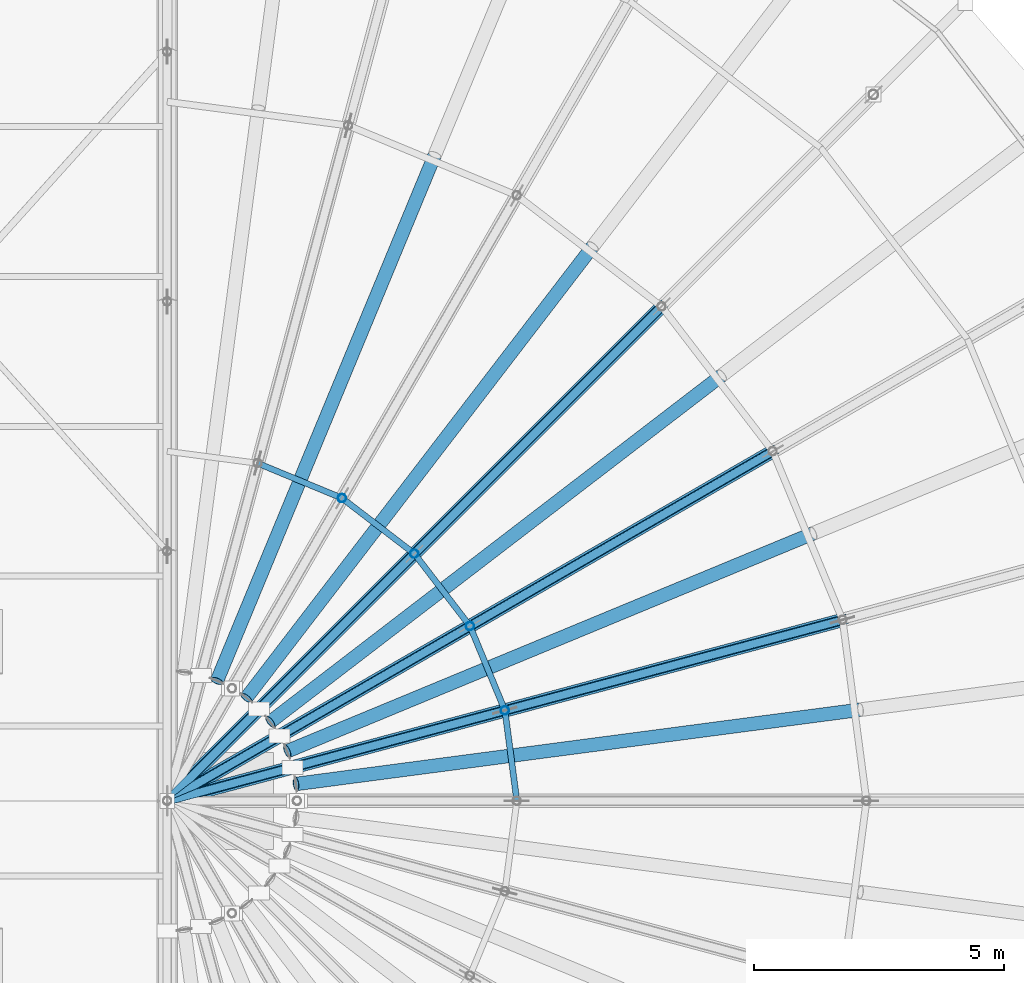
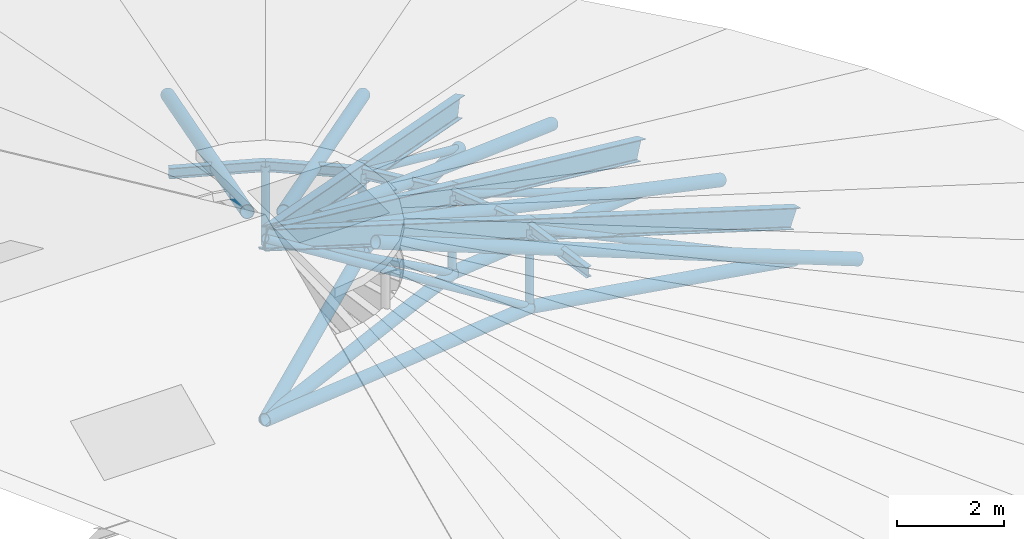
# One storey, part 40 of 107: 32 members.
"""IFC4 building model written with IfcOpenShell, lengths in metres."""

from ifc_helpers import new_model, si_unit, derived_unit, direction, frame, origin, origin_2d, place, context, subcontext, project, spatial, hollow_circle, i_section, extrude, material, material_profile, profile_set, type_object, element, save


model = new_model("IFC4")

# Units and contexts
model_context = context("Model", 3, precision=1e-05, world=origin(), true_north=direction((0.0, 1.0)))
body_context = subcontext(model_context, "Body", "Model", "MODEL_VIEW")
ifc_project = project(units=[si_unit("LENGTHUNIT", "METRE"), si_unit("AREAUNIT", "SQUARE_METRE"), si_unit("VOLUMEUNIT", "CUBIC_METRE"), si_unit("PLANEANGLEUNIT", "RADIAN"), si_unit("MASSUNIT", "GRAM", prefix="KILO"), si_unit("THERMODYNAMICTEMPERATUREUNIT", "KELVIN"), si_unit("TIMEUNIT", "SECOND"), derived_unit("THERMALTRANSMITTANCEUNIT", [(si_unit("MASSUNIT", "GRAM", prefix="KILO"), 1), (si_unit("THERMODYNAMICTEMPERATUREUNIT", "KELVIN"), -1), (si_unit("TIMEUNIT", "SECOND"), -3)])], contexts=[model_context])

# Site, building, storey
site_placement = place(None, origin())
site = spatial("IfcSite", under=ifc_project, at=site_placement, CompositionType="ELEMENT")
building_placement = place(site_placement, origin())
building = spatial("IfcBuilding", under=site, at=building_placement, Name="Cambertide Market Hall", CompositionType="ELEMENT")
storey_placement = place(building_placement, frame((0.0, 0.0, 18.300048828125)))
storey = spatial("IfcBuildingStorey", under=building, at=storey_placement, Name="RF", CompositionType="ELEMENT", Elevation=18.300048828125)

# Members
ifc_material_1 = material(Name="Steel S355", Category="steel")
ifc_material_profile_1 = material_profile(ifc_material_1, hollow_circle(Radius=0.136474609375, WallThickness=0.010009765625, at=origin_2d()), Name="CHS 273x10")
ifc_profile_set_1 = profile_set([ifc_material_profile_1], Name="Steel S355")
member_type_1 = type_object("IfcMemberType", Name="Arched Truss Chord CHS 273x10", PredefinedType="CHORD", material=ifc_profile_set_1)
member_1_placement = place(storey_placement, frame((105.0, 72.0, -4.5), z_axis=(0.958354076456, 0.256795291619, -0.124954561115), x_axis=(-0.258823832372, 0.965924543531, 0.0)))
element("IfcMember", 1, at=member_1_placement, inside=storey, type_object=member_type_1, Name="Half-Cone Radial Arch Chord E-14-1", PredefinedType="CHORD", context=body_context, shape_type="SweptSolid", body=[
    extrude(hollow_circle(Radius=0.136474609375, WallThickness=0.010009765625, at=origin_2d()), origin(), (0.0, 0.0, 1.0), 7.055419921875),
])
member_2_placement = place(storey_placement, frame((111.761474609375, 73.811767578125, -5.381591796875), z_axis=(0.914729420004, 0.245105868419, -0.321236986422), x_axis=(-0.258823832372, 0.965924543531, 0.0)))
element("IfcMember", 2, at=member_2_placement, inside=storey, type_object=member_type_1, Name="Half-Cone Radial Arch Chord E-14-2", PredefinedType="CHORD", context=body_context, shape_type="SweptSolid", body=[
    extrude(hollow_circle(Radius=0.136474609375, WallThickness=0.010009765625, at=origin_2d()), origin(), (0.0, 0.0, 1.0), 7.391845703125),
])
member_3_placement = place(storey_placement, frame((105.0, 72.0, -4.5), z_axis=(0.859240788635, 0.496076515077, -0.124953424661), x_axis=(-0.499995173006, 0.866028190633, 0.0)))
element("IfcMember", 3, at=member_3_placement, inside=storey, type_object=member_type_1, Name="Half-Cone Radial Arch Chord E-16-1", PredefinedType="CHORD", context=body_context, shape_type="SweptSolid", body=[
    extrude(hollow_circle(Radius=0.136474609375, WallThickness=0.010009765625, at=origin_2d()), origin(), (0.0, 0.0, 1.0), 7.055419921875),
])
member_4_placement = place(storey_placement, frame((111.062255859375, 75.5, -5.381591796875), z_axis=(0.820117658259, 0.473508125204, -0.321243026348), x_axis=(-0.500010275428, 0.866019471182, 0.0)))
element("IfcMember", 4, at=member_4_placement, inside=storey, type_object=member_type_1, Name="Half-Cone Radial Arch Chord E-16-2", PredefinedType="CHORD", context=body_context, shape_type="SweptSolid", body=[
    extrude(hollow_circle(Radius=0.136474609375, WallThickness=0.010009765625, at=origin_2d()), origin(), (0.0, 0.0, 1.0), 7.3916015625),
])
member_5_placement = place(storey_placement, frame((105.0, 72.0, -4.5), z_axis=(0.701564713257, 0.701564713257, -0.124955617025), x_axis=(-0.707106781187, 0.707106781187, 0.0)))
element("IfcMember", 5, at=member_5_placement, inside=storey, type_object=member_type_1, Name="Half-Cone Radial Arch Chord E-18-1", PredefinedType="CHORD", context=body_context, shape_type="SweptSolid", body=[
    extrude(hollow_circle(Radius=0.136474609375, WallThickness=0.010009765625, at=origin_2d()), origin(), (0.0, 0.0, 1.0), 7.05517578125),
])
member_6_placement = place(storey_placement, frame((109.94970703125, 76.94970703125, -5.381591796875), z_axis=(0.669628706701, 0.669628706701, -0.321239459474), x_axis=(-0.707106781187, 0.707106781187, 0.0)))
element("IfcMember", 6, at=member_6_placement, inside=storey, type_object=member_type_1, Name="Half-Cone Radial Arch Chord E-18-2", PredefinedType="CHORD", context=body_context, shape_type="SweptSolid", body=[
    extrude(hollow_circle(Radius=0.136474609375, WallThickness=0.010009765625, at=origin_2d()), origin(), (0.0, 0.0, 1.0), 7.3916015625),
])
ifc_material_2 = material(Name="Steel S355", Category="steel")
ifc_material_profile_2 = material_profile(ifc_material_2, hollow_circle(Radius=0.136474609375, WallThickness=0.010009765625, at=origin_2d()), Name="CHS 273x10")
ifc_profile_set_2 = profile_set([ifc_material_profile_2], Name="Steel S355")
member_type_2 = type_object("IfcMemberType", Name="Radial Fan Rafter CHS 273x10", PredefinedType="RAFTER", material=ifc_profile_set_2)
for number, where, z_axis, x_axis, name in (
    (7, (107.57763671875, 72.33935546875, -1.546142578125), (0.900721251164, 0.11858507454, -0.417898083027), (-0.130529299847, 0.991444452242, 0.0), "RAF-E-13-A"),
    (8, (107.402099609375, 72.994873046875, -1.546142578125), (0.839333931883, 0.347679586527, -0.417896465529), (-0.382698547937, 0.923873271292, 0.0), "RAF-E-15-A"),
    (9, (107.062744140625, 73.582763671875, -1.546142578125), (0.720752999442, 0.553060460579, -0.417898601026), (-0.608766439672, 0.793349495449, 0.0), "RAF-E-17-A"),
    (10, (106.582763671875, 74.062744140625, -1.546142578125), (0.553060460579, 0.720752999442, -0.417898601026), (-0.793349495449, 0.608766439672, 0.0), "RAF-E-19-A"),
    (11, (105.994873046875, 74.402099609375, -1.546142578125), (0.347679586527, 0.839333931883, -0.417896465529), (-0.923873271292, 0.382698547937, 0.0), "RAF-E-21-A"),
):
    element("IfcMember", number, at=place(storey_placement, frame(where, z_axis=z_axis, x_axis=x_axis)), inside=storey, type_object=member_type_2, Name=name, PredefinedType="RAFTER", context=body_context, shape_type="SweptSolid", body=[
        extrude(hollow_circle(Radius=0.136474609375, WallThickness=0.010009765625, at=origin_2d()), origin(), (0.0, 0.0, 1.0), 12.54833984375),
    ])
ifc_material_3 = material(Name="Steel S355", Category="steel")
ifc_material_profile_3 = material_profile(ifc_material_3, i_section(OverallWidth=0.18994140625, OverallDepth=0.449951171875, WebThickness=0.009521484375, FlangeThickness=0.0146484375, FilletRadius=0.02099609375, at=origin_2d()), Name="IPE 450")
ifc_profile_set_3 = profile_set([ifc_material_profile_3], Name="Steel S355")
member_type_3 = type_object("IfcMemberType", Name="Radial Fan Rafter IPE 450", PredefinedType="RAFTER", material=ifc_profile_set_3)
for number, where, z_axis, x_axis, name in (
    (12, (105.0, 72.0, -0.35009765625), (0.877534683767, 0.235139371303, -0.417902326925), (-0.258823832372, 0.965924543531, 0.0), "Half-Cone Radial Truss Rafter E-14-1"),
    (13, (111.761474609375, 73.811767578125, -3.570068359375), (0.877534683767, 0.235139371303, -0.417902326925), (-0.258823832372, 0.965924543531, 0.0), "Half-Cone Radial Truss Rafter E-14-2"),
    (14, (105.0, 72.0, -0.35009765625), (0.786780919627, 0.454242328693, -0.417899140146), (-0.499995173006, 0.866028190633, 0.0), "Half-Cone Radial Truss Rafter E-16-1"),
):
    element("IfcMember", number, at=place(storey_placement, frame(where, z_axis=z_axis, x_axis=x_axis)), inside=storey, type_object=member_type_3, Name=name, PredefinedType="RAFTER", context=body_context, shape_type="SweptSolid", body=[
        extrude(i_section(OverallWidth=0.18994140625, OverallDepth=0.449951171875, WebThickness=0.009521484375, FlangeThickness=0.0146484375, FilletRadius=0.02099609375, at=origin_2d()), origin(), (0.0, 0.0, 1.0), 7.705078125),
    ])
member_7_placement = place(storey_placement, frame((111.062255859375, 75.5, -3.570068359375), z_axis=(0.786768847794, 0.454253652919, -0.417909558339), x_axis=(-0.500010275428, 0.866019471182, 0.0)))
element("IfcMember", 15, at=member_7_placement, inside=storey, type_object=member_type_3, Name="Half-Cone Radial Truss Rafter E-16-2", PredefinedType="RAFTER", context=body_context, shape_type="SweptSolid", body=[
    extrude(i_section(OverallWidth=0.18994140625, OverallDepth=0.449951171875, WebThickness=0.009521484375, FlangeThickness=0.0146484375, FilletRadius=0.02099609375, at=origin_2d()), origin(), (0.0, 0.0, 1.0), 7.704833984375),
])
for number, where, z_axis, x_axis, name in (
    (16, (105.0, 72.0, -0.35009765625), (0.642399863947, 0.642399863947, -0.417905287837), (-0.707106781187, 0.707106781187, 0.0), "Half-Cone Radial Truss Rafter E-18-1"),
    (17, (109.94970703125, 76.94970703125, -3.570068359375), (0.642399863947, 0.642399863947, -0.417905287837), (-0.707106781187, 0.707106781187, 0.0), "Half-Cone Radial Truss Rafter E-18-2"),
):
    element("IfcMember", number, at=place(storey_placement, frame(where, z_axis=z_axis, x_axis=x_axis)), inside=storey, type_object=member_type_3, Name=name, PredefinedType="RAFTER", context=body_context, shape_type="SweptSolid", body=[
        extrude(i_section(OverallWidth=0.18994140625, OverallDepth=0.449951171875, WebThickness=0.009521484375, FlangeThickness=0.0146484375, FilletRadius=0.02099609375, at=origin_2d()), origin(), (0.0, 0.0, 1.0), 7.705078125),
    ])
ifc_material_4 = material(Name="Steel S275", Category="steel")
ifc_material_profile_4 = material_profile(ifc_material_4, i_section(OverallWidth=0.1201171875, OverallDepth=0.239990234375, WebThickness=0.006103515625, FlangeThickness=0.009765625, FilletRadius=0.014892578125, at=origin_2d()), Name="IPE 240")
ifc_profile_set_4 = profile_set([ifc_material_profile_4], Name="Steel S275")
member_type_4 = type_object("IfcMemberType", Name="Roof Purlin IPE 240", PredefinedType="PURLIN", material=ifc_profile_set_4)
for number, where, z_axis, x_axis, name in (
    (18, (112.0, 72.0, -3.570068359375), (-0.130527087244, 0.991444743541, 0.0), (-0.991444743541, -0.130527087244, 0.0), "CPUR-E-70-07"),
    (19, (111.761474609375, 73.811767578125, -3.570068359375), (-0.382650727073, 0.923893078809, 0.0), (-0.923893078809, -0.382650727073, 0.0), "CPUR-E-70-08"),
    (20, (111.062255859375, 75.5, -3.570068359375), (-0.608812919113, 0.79331382789, 0.0), (-0.79331382789, -0.608812919113, 0.0), "CPUR-E-70-09"),
    (21, (109.94970703125, 76.94970703125, -3.570068359375), (-0.79331382789, 0.608812919113, 0.0), (-0.608812919113, -0.79331382789, 0.0), "CPUR-E-70-10"),
    (22, (108.5, 78.062255859375, -3.570068359375), (-0.923893078809, 0.382650727073, 0.0), (-0.382650727073, -0.923893078809, 0.0), "CPUR-E-70-11"),
):
    element("IfcMember", number, at=place(storey_placement, frame(where, z_axis=z_axis, x_axis=x_axis)), inside=storey, type_object=member_type_4, Name=name, PredefinedType="PURLIN", context=body_context, shape_type="SweptSolid", body=[
        extrude(i_section(OverallWidth=0.1201171875, OverallDepth=0.239990234375, WebThickness=0.006103515625, FlangeThickness=0.009765625, FilletRadius=0.014892578125, at=origin_2d()), origin(), (0.0, 0.0, 1.0), 1.827392578125),
    ])
ifc_material_5 = material(Name="Steel S355", Category="steel")
ifc_material_profile_5 = material_profile(ifc_material_5, hollow_circle(Radius=0.084228515625, WallThickness=0.00634765625, at=origin_2d()), Name="CHS 168.3x6.3")
ifc_profile_set_5 = profile_set([ifc_material_profile_5], Name="Steel S355")
member_type_5 = type_object("IfcMemberType", Name="Structural Brace CHS 168.3x6.3", PredefinedType="BRACE", material=ifc_profile_set_5)
member_8_placement = place(storey_placement, frame((111.761474609375, 73.811767578125, -5.381591796875), z_axis=(-0.784332723238, -0.210165486158, 0.58365456195), x_axis=(0.258823832372, -0.965924543531, 0.0)))
element("IfcMember", 23, at=member_8_placement, inside=storey, type_object=member_type_5, Name="RWB-E-14-D1", PredefinedType="BRACE", context=body_context, shape_type="SweptSolid", body=[
    extrude(hollow_circle(Radius=0.084228515625, WallThickness=0.00634765625, at=origin_2d()), origin(), (0.0, 0.0, 1.0), 8.62060546875),
])
member_9_placement = place(storey_placement, frame((118.52294921875, 75.62353515625, -7.756103515625), z_axis=(-0.829002296418, -0.222134899502, 0.513236085011), x_axis=(0.258823832372, -0.965924543531, 0.0)))
element("IfcMember", 24, at=member_9_placement, inside=storey, type_object=member_type_5, Name="RWB-E-14-D2", PredefinedType="BRACE", context=body_context, shape_type="SweptSolid", body=[
    extrude(hollow_circle(Radius=0.084228515625, WallThickness=0.00634765625, at=origin_2d()), origin(), (0.0, 0.0, 1.0), 8.15625),
])
member_10_placement = place(storey_placement, frame((111.761474609375, 73.811767578125, -5.381591796875), z_axis=(0.0, 0.0, 1.0), x_axis=(1.0, 0.0, 0.0)))
element("IfcMember", 25, at=member_10_placement, inside=storey, type_object=member_type_5, Name="RWV-E-14-V1", PredefinedType="BRACE", context=body_context, shape_type="SweptSolid", body=[
    extrude(hollow_circle(Radius=0.084228515625, WallThickness=0.00634765625, at=origin_2d()), origin(), (0.0, 0.0, 1.0), 1.8115234375),
])
member_11_placement = place(storey_placement, frame((111.062255859375, 75.5, -5.381591796875), z_axis=(-0.703218891749, -0.405998390403, 0.583651006405), x_axis=(0.499995173006, -0.866028190633, 0.0)))
element("IfcMember", 26, at=member_11_placement, inside=storey, type_object=member_type_5, Name="RWB-E-16-D1", PredefinedType="BRACE", context=body_context, shape_type="SweptSolid", body=[
    extrude(hollow_circle(Radius=0.084228515625, WallThickness=0.00634765625, at=origin_2d()), origin(), (0.0, 0.0, 1.0), 8.62060546875),
])
member_12_placement = place(storey_placement, frame((117.124267578125, 79.0, -7.756103515625), z_axis=(-0.743254916034, -0.429130184304, 0.513244010887), x_axis=(0.500010275428, -0.866019471182, 0.0)))
element("IfcMember", 27, at=member_12_placement, inside=storey, type_object=member_type_5, Name="RWB-E-16-D2", PredefinedType="BRACE", context=body_context, shape_type="SweptSolid", body=[
    extrude(hollow_circle(Radius=0.084228515625, WallThickness=0.00634765625, at=origin_2d()), origin(), (0.0, 0.0, 1.0), 8.156005859375),
])
member_13_placement = place(storey_placement, frame((111.062255859375, 75.5, -5.381591796875), z_axis=(0.0, 0.0, 1.0), x_axis=(1.0, 0.0, 0.0)))
element("IfcMember", 28, at=member_13_placement, inside=storey, type_object=member_type_5, Name="RWV-E-16-V1", PredefinedType="BRACE", context=body_context, shape_type="SweptSolid", body=[
    extrude(hollow_circle(Radius=0.084228515625, WallThickness=0.00634765625, at=origin_2d()), origin(), (0.0, 0.0, 1.0), 1.8115234375),
])
member_14_placement = place(storey_placement, frame((109.94970703125, 76.94970703125, -5.381591796875), z_axis=(-0.574170486906, -0.574170486906, 0.583657865476), x_axis=(0.707106781187, -0.707106781187, 0.0)))
element("IfcMember", 29, at=member_14_placement, inside=storey, type_object=member_type_5, Name="RWB-E-18-D1", PredefinedType="BRACE", context=body_context, shape_type="SweptSolid", body=[
    extrude(hollow_circle(Radius=0.084228515625, WallThickness=0.00634765625, at=origin_2d()), origin(), (0.0, 0.0, 1.0), 8.62060546875),
])
member_15_placement = place(storey_placement, frame((114.8994140625, 81.8994140625, -7.756103515625), z_axis=(-0.606871234224, -0.606871234224, 0.513239330276), x_axis=(0.707106781187, -0.707106781187, 0.0)))
element("IfcMember", 30, at=member_15_placement, inside=storey, type_object=member_type_5, Name="RWB-E-18-D2", PredefinedType="BRACE", context=body_context, shape_type="SweptSolid", body=[
    extrude(hollow_circle(Radius=0.084228515625, WallThickness=0.00634765625, at=origin_2d()), origin(), (0.0, 0.0, 1.0), 8.156005859375),
])
for number, where, z_axis, x_axis, name in (
    (31, (109.94970703125, 76.94970703125, -5.381591796875), (0.0, 0.0, 1.0), (1.0, 0.0, 0.0), "RWV-E-18-V1"),
    (32, (108.5, 78.062255859375, -5.381591796875), (0.0, 0.0, 1.0), (1.0, 0.0, 0.0), "RWV-E-20-V1"),
):
    element("IfcMember", number, at=place(storey_placement, frame(where, z_axis=z_axis, x_axis=x_axis)), inside=storey, type_object=member_type_5, Name=name, PredefinedType="BRACE", context=body_context, shape_type="SweptSolid", body=[
        extrude(hollow_circle(Radius=0.084228515625, WallThickness=0.00634765625, at=origin_2d()), origin(), (0.0, 0.0, 1.0), 1.8115234375),
    ])

save(model, "model.ifc")
